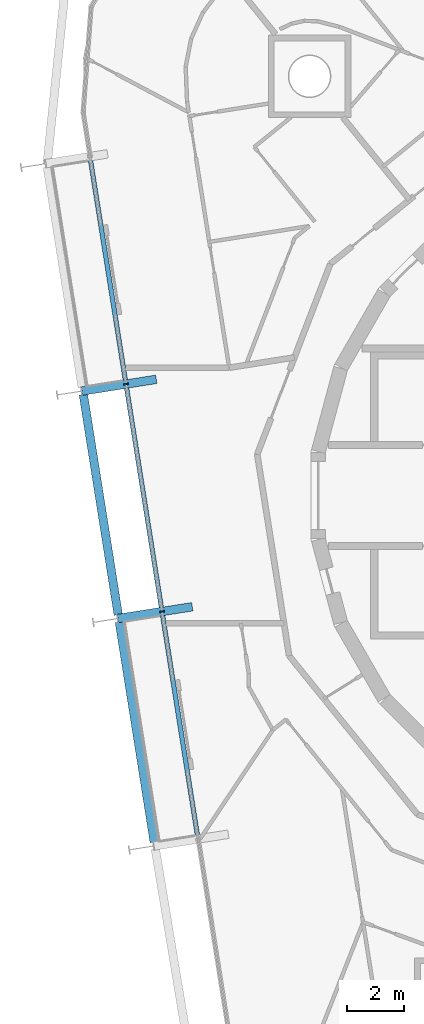
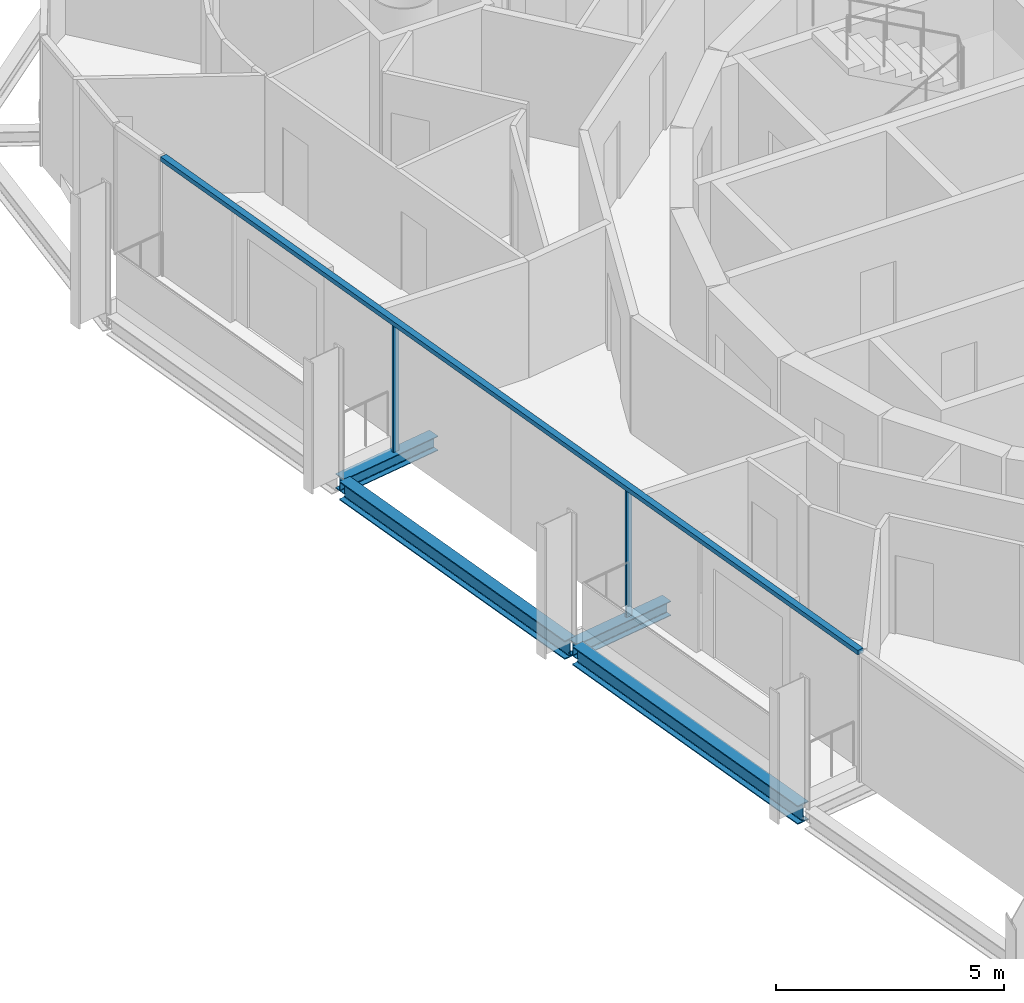
# One storey, part 3 of 18: 4 beams, 3 members, 1 element without a shape of its own.
"""IFC4 building model written with IfcOpenShell, lengths in metres."""

from ifc_helpers import new_model, si_unit, direction, frame, origin, origin_2d, place, context, subcontext, project, spatial, rectangle, i_section, extrude, material, layer, layer_set, material_profile, profile_set, type_object, element, aggregate, save


model = new_model("IFC4")

# Units and contexts
model_context = context("Model", 3, precision=1e-05, world=origin(), true_north=direction((0.0, 1.0)))
body_context = subcontext(model_context, "Body", "Model", "MODEL_VIEW")
ifc_project = project(units=[si_unit("LENGTHUNIT", "METRE"), si_unit("AREAUNIT", "SQUARE_METRE"), si_unit("VOLUMEUNIT", "CUBIC_METRE"), si_unit("PLANEANGLEUNIT", "RADIAN"), si_unit("MASSUNIT", "GRAM", prefix="KILO")], contexts=[model_context])

# Site, building, storey
site_placement = place(None, origin())
site = spatial("IfcSite", under=ifc_project, at=site_placement, CompositionType="ELEMENT")
building_placement = place(site_placement, origin())
building = spatial("IfcBuilding", under=site, at=building_placement, Name="Spindle Arch Residences", CompositionType="ELEMENT")
storey_placement = place(building_placement, frame((0.0, 0.0, 273.89990234375)))
storey = spatial("IfcBuildingStorey", under=building, at=storey_placement, Name="L70", CompositionType="ELEMENT", Elevation=273.89990234375)

# Curtain wall, members
ifc_material_1 = material(Name="Aluminium bronze unitised frame with tinted glass", Category="aluminium")
ifc_layer = layer(ifc_material_1, 0.159912109375)
ifc_layer_set = layer_set([ifc_layer], Name="CW-C typical residential unitised wall")
curtain_wall_type = type_object("IfcCurtainWallType", Name="CW-C typical residential unitised wall", PredefinedType="NOTDEFINED", material=ifc_layer_set)
curtain_wall_placement = place(storey_placement, origin())
curtain_wall = element("IfcCurtainWall", 1, at=curtain_wall_placement, inside=storey, type_object=curtain_wall_type, Name="CW-C L70 run 4", PredefinedType="NOTDEFINED")
ifc_material_2 = material(Name="Aluminium bronze anodised mullion", Category="aluminium")
ifc_material_profile_1 = material_profile(ifc_material_2, rectangle(XDim=0.159912109375, YDim=0.06005859375, at=origin_2d()), Name="MU 60x160")
ifc_profile_set_1 = profile_set([ifc_material_profile_1], Name="Aluminium bronze anodised mullion")
member_type_1 = type_object("IfcMemberType", Name="Bronze mullion 60x160", PredefinedType="MULLION", material=ifc_profile_set_1)
member_1_placement = place(storey_placement, frame((-18.417236328125, 3.923583984375, -0.3798828125), z_axis=(0.0, 0.0, 1.0), x_axis=(0.987688340595, 0.15643446504, 0.0)))
member_1 = element("IfcMember", 2, at=member_1_placement, type_object=member_type_1, Name="CW-C mullion 12", PredefinedType="MULLION", context=body_context, shape_type="SweptSolid", body=[
    extrude(rectangle(XDim=0.159912109375, YDim=0.06005859375, at=origin_2d()), origin(), (0.0, 0.0, 1.0), 3.3798828125),
])
member_2_placement = place(storey_placement, frame((-17.14892578125, -4.084228515625, -0.3798828125), z_axis=(0.0, 0.0, 1.0), x_axis=(0.987688340595, 0.15643446504, 0.0)))
member_2 = element("IfcMember", 3, at=member_2_placement, type_object=member_type_1, Name="CW-C mullion 13", PredefinedType="MULLION", context=body_context, shape_type="SweptSolid", body=[
    extrude(rectangle(XDim=0.159912109375, YDim=0.06005859375, at=origin_2d()), origin(), (0.0, 0.0, 1.0), 3.3798828125),
])
ifc_material_3 = material(Name="Aluminium bronze anodised transom", Category="aluminium")
ifc_material_profile_2 = material_profile(ifc_material_3, rectangle(XDim=0.159912109375, YDim=0.1201171875, at=origin_2d()), Name="TR 120x160")
ifc_profile_set_2 = profile_set([ifc_material_profile_2], Name="Aluminium bronze anodised transom")
member_type_2 = type_object("IfcMemberType", Name="Bronze transom 120x160", PredefinedType="USERDEFINED", material=ifc_profile_set_2)
member_3_placement = place(storey_placement, frame((-19.6806640625, 11.901611328125, 3.06005859375), z_axis=(0.156430704214, -0.987688936244, 0.0), x_axis=(0.987688936244, 0.156430704214, 0.0)))
member_3 = element("IfcMember", 4, at=member_3_placement, type_object=member_type_2, Name="CW-C transom 00", ObjectType="TRANSOM", PredefinedType="USERDEFINED", context=body_context, shape_type="SweptSolid", body=[
    extrude(rectangle(XDim=0.159912109375, YDim=0.1201171875, at=origin_2d()), origin(), (0.0, 0.0, 1.0), 24.262451171875),
])
aggregate(curtain_wall, [member_3, member_1, member_2])

# Beams
ifc_material_4 = material(Name="Steel S460ML, intumescent coating R 120", Category="steel")
ifc_material_profile_3 = material_profile(ifc_material_4, i_section(OverallWidth=0.300048828125, OverallDepth=0.5, WebThickness=0.014404296875, FlangeThickness=0.028076171875, FilletRadius=0.027099609375, at=origin_2d()), Name="HEB 500")
ifc_profile_set_3 = profile_set([ifc_material_profile_3], Name="Steel S460ML, intumescent coating R 120")
beam_type_1 = type_object("IfcBeamType", Name="Exoskeleton edge beam HEB 500", PredefinedType="BEAM", material=ifc_profile_set_3)
for number, where, z_axis, x_axis, name in (
    (5, (-19.91796875, 3.55419921875, -0.6298828125), (0.156453001738, -0.987685404492, 0.0), (0.987685404492, 0.156453001738, 0.0), "Exoskeleton edge beam 13"),
    (6, (-18.6494140625, -4.45361328125, -0.6298828125), (0.156422652856, -0.987690211389, 0.0), (0.987690211389, 0.156422652856, 0.0), "Exoskeleton edge beam 14"),
):
    element("IfcBeam", number, at=place(storey_placement, frame(where, z_axis=z_axis, x_axis=x_axis)), inside=storey, type_object=beam_type_1, Name=name, PredefinedType="BEAM", context=body_context, shape_type="SweptSolid", body=[
        extrude(i_section(OverallWidth=0.300048828125, OverallDepth=0.5, WebThickness=0.014404296875, FlangeThickness=0.028076171875, FilletRadius=0.027099609375, at=origin_2d()), origin(), (0.0, 0.0, 1.0), 7.84765625),
    ])
ifc_material_5 = material(Name="Steel S460ML, intumescent coating R 120", Category="steel")
ifc_material_profile_4 = material_profile(ifc_material_5, i_section(OverallWidth=0.300048828125, OverallDepth=0.389892578125, WebThickness=0.010986328125, FlangeThickness=0.01904296875, FilletRadius=0.027099609375, at=origin_2d()), Name="HEA 400")
ifc_profile_set_4 = profile_set([ifc_material_profile_4], Name="Steel S460ML, intumescent coating R 120")
beam_type_2 = type_object("IfcBeamType", Name="Floor outrigger HEA 400", PredefinedType="BEAM", material=ifc_profile_set_4)
beam_1_placement = place(storey_placement, frame((-19.9677734375, 3.677978515625, -0.574951171875), z_axis=(0.987686649348, 0.156445142779, 0.0), x_axis=(-0.156445142779, 0.987686649348, 0.0)))
element("IfcBeam", 7, at=beam_1_placement, inside=storey, type_object=beam_type_2, Name="Floor outrigger 13", PredefinedType="BEAM", context=body_context, shape_type="SweptSolid", body=[
    extrude(i_section(OverallWidth=0.300048828125, OverallDepth=0.389892578125, WebThickness=0.010986328125, FlangeThickness=0.01904296875, FilletRadius=0.027099609375, at=origin_2d()), origin(), (0.0, 0.0, 1.0), 2.64990234375),
])
beam_2_placement = place(storey_placement, frame((-18.699462890625, -4.329833984375, -0.574951171875), z_axis=(0.987688904051, 0.156430907479, 0.0), x_axis=(-0.156430907479, 0.987688904051, 0.0)))
element("IfcBeam", 8, at=beam_2_placement, inside=storey, type_object=beam_type_2, Name="Floor outrigger 14", PredefinedType="BEAM", context=body_context, shape_type="SweptSolid", body=[
    extrude(i_section(OverallWidth=0.300048828125, OverallDepth=0.389892578125, WebThickness=0.010986328125, FlangeThickness=0.01904296875, FilletRadius=0.027099609375, at=origin_2d()), origin(), (0.0, 0.0, 1.0), 2.650146484375),
])

save(model, "model.ifc")
